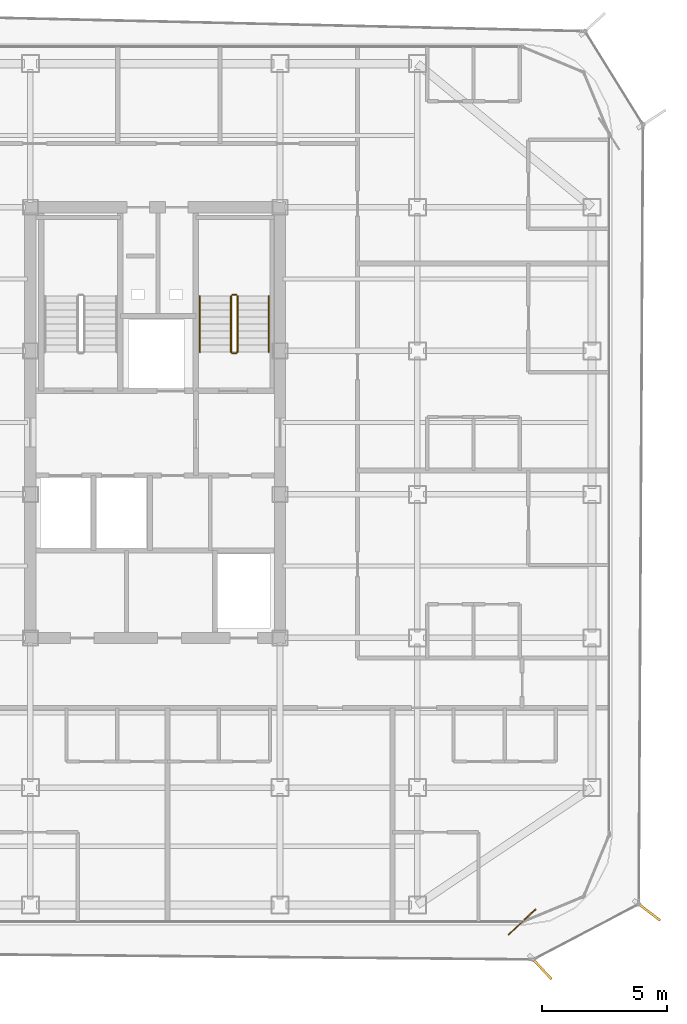
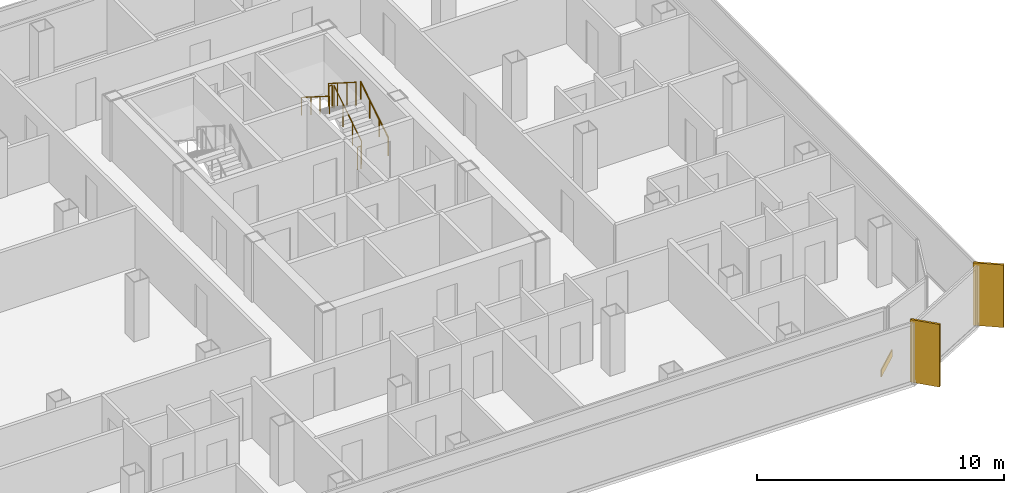
# One storey, part 15 of 16: 6 railings, 2 shading devices, 1 covering.
"""IFC4 building model written with IfcOpenShell, lengths in metres."""

from ifc_helpers import new_model, si_unit, direction, frame, origin, origin_2d, place, context, subcontext, project, spatial, rectangle, circle, extrude, source, transform, mapped, material, layer, layer_set, type_object, element, save


model = new_model("IFC4")

# Units and contexts
model_context = context("Model", 3, precision=1e-05, world=origin(), true_north=direction((0.0, 1.0)))
body_context = subcontext(model_context, "Body", "Model", "MODEL_VIEW")
ifc_project = project(units=[si_unit("LENGTHUNIT", "METRE"), si_unit("AREAUNIT", "SQUARE_METRE"), si_unit("VOLUMEUNIT", "CUBIC_METRE"), si_unit("PLANEANGLEUNIT", "RADIAN"), si_unit("MASSUNIT", "GRAM", prefix="KILO")], contexts=[model_context])

# Site, building, storey
site_placement = place(None, origin())
site = spatial("IfcSite", under=ifc_project, at=site_placement, CompositionType="ELEMENT")
building_placement = place(site_placement, origin())
building = spatial("IfcBuilding", under=site, at=building_placement, Name="Kolveth Station Tower", CompositionType="ELEMENT")
storey_placement = place(building_placement, frame((0.0, 0.0, 178.5)))
storey = spatial("IfcBuildingStorey", under=building, at=storey_placement, Name="L50", CompositionType="ELEMENT", Elevation=178.5)

# Railings
ifc_material_1 = material(Name="Painted Steel S355 balustrade", Category="steel")
railing_type_1 = type_object("IfcRailingType", Name="Guard_GR2", PredefinedType="BALUSTRADE", material=ifc_material_1)
railing_1_placement = place(storey_placement, frame((26.800048828125, 22.949951171875, 0.177734375)))
element("IfcRailing", 1, at=railing_1_placement, inside=storey, type_object=railing_type_1, Name="L50 ST2 stair guard 1", PredefinedType="BALUSTRADE", context=body_context, shape_type="SweptSolid", body=[
    extrude(circle(Radius=0.02392578125, at=origin_2d()), frame((0.0, 0.0, 1.1259765625), z_axis=(0.0, 0.84418770128, 0.536047689118), x_axis=(-1.0, 0.0, 0.0)), (0.0, 0.0, 1.0), 2.6533203125),
    extrude(circle(Radius=0.02099609375, at=origin_2d()), origin(), (0.0, 0.0, 1.0), 1.101806640625),
    extrude(circle(Radius=0.02099609375, at=origin_2d()), frame((0.0, 0.74658203125, 0.47412109375)), (0.0, 0.0, 1.0), 1.101806640625),
    extrude(circle(Radius=0.02099609375, at=origin_2d()), frame((0.0, 1.493408203125, 0.9482421875)), (0.0, 0.0, 1.0), 1.101806640625),
    extrude(circle(Radius=0.02099609375, at=origin_2d()), frame((0.0, 2.239990234375, 1.42236328125)), (0.0, 0.0, 1.0), 1.101806640625),
])
railing_2_placement = place(storey_placement, frame((26.75, 25.239990234375, 1.60009765625)))
element("IfcRailing", 2, at=railing_2_placement, inside=storey, type_object=railing_type_1, Name="L50 ST2 stair guard 2", PredefinedType="BALUSTRADE", context=body_context, shape_type="SweptSolid", body=[
    extrude(circle(Radius=0.02392578125, at=origin_2d()), frame((0.0, 0.0, 1.1259765625), z_axis=(-1.0, 0.0, 0.0), x_axis=(0.0, -1.0, 0.0)), (0.0, 0.0, 1.0), 0.159912109375),
    extrude(circle(Radius=0.02099609375, at=origin_2d()), origin(), (0.0, 0.0, 1.0), 1.101806640625),
    extrude(circle(Radius=0.02099609375, at=origin_2d()), frame((-0.159912109375, 0.0, 0.0)), (0.0, 0.0, 1.0), 1.101806640625),
])
railing_3_placement = place(storey_placement, frame((26.5400390625, 25.18994140625, 1.77783203125)))
element("IfcRailing", 3, at=railing_3_placement, inside=storey, type_object=railing_type_1, Name="L50 ST2 stair guard 3", PredefinedType="BALUSTRADE", context=body_context, shape_type="SweptSolid", body=[
    extrude(circle(Radius=0.02392578125, at=origin_2d()), frame((0.0, 0.0, 1.1259765625), z_axis=(0.0, -0.8442293374, 0.53598211339), x_axis=(1.0, 0.0, 0.0)), (0.0, 0.0, 1.0), 2.6533203125),
    extrude(circle(Radius=0.02099609375, at=origin_2d()), origin(), (0.0, 0.0, 1.0), 1.101806640625),
    extrude(circle(Radius=0.02099609375, at=origin_2d()), frame((0.0, -0.74658203125, 0.47412109375)), (0.0, 0.0, 1.0), 1.101806640625),
    extrude(circle(Radius=0.02099609375, at=origin_2d()), frame((0.0, -1.493408203125, 0.947998046875)), (0.0, 0.0, 1.0), 1.101806640625),
    extrude(circle(Radius=0.02099609375, at=origin_2d()), frame((0.0, -2.239990234375, 1.422119140625)), (0.0, 0.0, 1.0), 1.101806640625),
])
railing_4_placement = place(storey_placement, frame((26.75, 22.89990234375, 0.0)))
element("IfcRailing", 4, at=railing_4_placement, inside=storey, type_object=railing_type_1, Name="L50 ST2 stair guard 4", PredefinedType="BALUSTRADE", context=body_context, shape_type="SweptSolid", body=[
    extrude(circle(Radius=0.02392578125, at=origin_2d()), frame((0.0, 0.0, 1.1259765625), z_axis=(-1.0, 0.0, 0.0), x_axis=(0.0, -1.0, 0.0)), (0.0, 0.0, 1.0), 0.159912109375),
    extrude(circle(Radius=0.02099609375, at=origin_2d()), origin(), (0.0, 0.0, 1.0), 1.101806640625),
    extrude(circle(Radius=0.02099609375, at=origin_2d()), frame((-0.159912109375, 0.0, 0.0)), (0.0, 0.0, 1.0), 1.101806640625),
])
ifc_material_2 = material(Name="Brushed stainless steel", Category="steel")
railing_type_2 = type_object("IfcRailingType", Name="Handrail_HR1", PredefinedType="HANDRAIL", material=ifc_material_2)
railing_5_placement = place(storey_placement, frame((28.050048828125, 22.949951171875, 0.177734375)))
element("IfcRailing", 5, at=railing_5_placement, inside=storey, type_object=railing_type_2, Name="L50 ST2 stair handrail 1", PredefinedType="HANDRAIL", context=body_context, shape_type="SweptSolid", body=[
    extrude(circle(Radius=0.02392578125, at=origin_2d()), frame((0.0, 0.0, 0.8759765625), z_axis=(0.0, 0.84418770128, 0.536047689118), x_axis=(-1.0, 0.0, 0.0)), (0.0, 0.0, 1.0), 2.6533203125),
    extrude(circle(Radius=0.02099609375, at=origin_2d()), origin(), (0.0, 0.0, 1.0), 0.851806640625),
    extrude(circle(Radius=0.02099609375, at=origin_2d()), frame((0.0, 0.74658203125, 0.47412109375)), (0.0, 0.0, 1.0), 0.851806640625),
    extrude(circle(Radius=0.02099609375, at=origin_2d()), frame((0.0, 1.493408203125, 0.9482421875)), (0.0, 0.0, 1.0), 0.851806640625),
    extrude(circle(Radius=0.02099609375, at=origin_2d()), frame((0.0, 2.239990234375, 1.42236328125)), (0.0, 0.0, 1.0), 0.851806640625),
])
railing_6_placement = place(storey_placement, frame((25.2900390625, 25.18994140625, 1.77783203125)))
element("IfcRailing", 6, at=railing_6_placement, inside=storey, type_object=railing_type_2, Name="L50 ST2 stair handrail 2", PredefinedType="HANDRAIL", context=body_context, shape_type="SweptSolid", body=[
    extrude(circle(Radius=0.02392578125, at=origin_2d()), frame((0.0, 0.0, 0.8759765625), z_axis=(0.0, -0.8442293374, 0.53598211339), x_axis=(1.0, 0.0, 0.0)), (0.0, 0.0, 1.0), 2.6533203125),
    extrude(circle(Radius=0.02099609375, at=origin_2d()), origin(), (0.0, 0.0, 1.0), 0.851806640625),
    extrude(circle(Radius=0.02099609375, at=origin_2d()), frame((0.0, -0.74658203125, 0.47412109375)), (0.0, 0.0, 1.0), 0.851806640625),
    extrude(circle(Radius=0.02099609375, at=origin_2d()), frame((0.0, -1.493408203125, 0.947998046875)), (0.0, 0.0, 1.0), 0.851806640625),
    extrude(circle(Radius=0.02099609375, at=origin_2d()), frame((0.0, -2.239990234375, 1.422119140625)), (0.0, 0.0, 1.0), 0.851806640625),
])

# Shading devices
ifc_material_3 = material(Name="Black anodized aluminium 6063-T6", Category="aluminium")
shading_device_type = type_object("IfcShadingDeviceType", Name="FIN_VF1", PredefinedType="USERDEFINED", material=ifc_material_3)
shared_shape_1 = source(origin(), body_context, "Body", "SweptSolid", [
    extrude(rectangle(XDim=1.25, YDim=0.090087890625, at=origin_2d()), origin(), (0.0, 0.0, 1.0), 3.10009765625),
])
for number, where, z_axis, x_axis, name in (
    (7, (38.952880859375, -1.717041015625, 0.0), (0.0, 0.0, 1.0), (0.681870704375, -0.731472721648, 0.0), "L50 Dark-Aluminium Solar Fin 1"),
    (8, (43.23291015625, 0.56005859375, 0.0), (0.0, 0.0, 1.0), (0.794202557977, -0.607653105729, 0.0), "L50 Dark-Aluminium Solar Fin 2"),
):
    element("IfcShadingDevice", number, at=place(storey_placement, frame(where, z_axis=z_axis, x_axis=x_axis)), inside=storey, type_object=shading_device_type, Name=name, ObjectType="FIN", PredefinedType="USERDEFINED", context=body_context, shape_type="MappedRepresentation", body=[
        mapped(shared_shape_1, transform((0.0, 0.0, 0.0), x_axis=(1.0, 0.0, 0.0), y_axis=(0.0, 1.0, 0.0), z_axis=(0.0, 0.0, 1.0), scale=1.0)),
    ])

# Covering
ifc_material_4 = material(Name="Charcoal anodized aluminium spandrel cladding", Category="aluminium")
ifc_layer = layer(ifc_material_4, 0.044921875)
ifc_layer_set = layer_set([ifc_layer], Name="Charcoal anodized aluminium spandrel cladding")
covering_type = type_object("IfcCoveringType", Name="Clad_CD1", PredefinedType="CLADDING", material=ifc_layer_set)
shared_shape_2 = source(origin(), body_context, "Body", "SweptSolid", [
    extrude(rectangle(XDim=1.5, YDim=0.044921875, at=origin_2d()), origin(), (0.0, 0.0, 1.0), 0.360107421875),
])
covering_placement = place(storey_placement, frame((38.199951171875, 0.1201171875, 0.0), z_axis=(0.0, 0.0, 1.0), x_axis=(0.731472721648, 0.681870704375, 0.0)))
element("IfcCovering", 9, at=covering_placement, inside=storey, type_object=covering_type, Name="L50 Spandrel Edge Cladding 1", PredefinedType="CLADDING", context=body_context, shape_type="MappedRepresentation", body=[
    mapped(shared_shape_2, transform((0.0, 0.0, 0.0), x_axis=(1.0, 0.0, 0.0), y_axis=(0.0, 1.0, 0.0), z_axis=(0.0, 0.0, 1.0), scale=1.0)),
])

save(model, "model.ifc")
